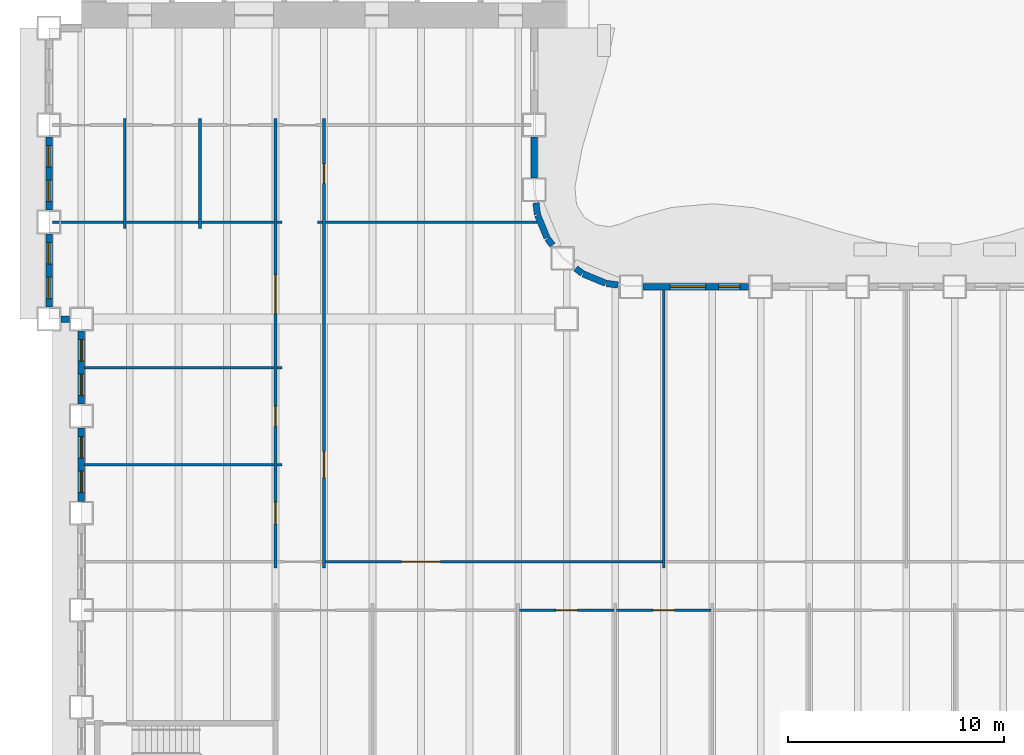
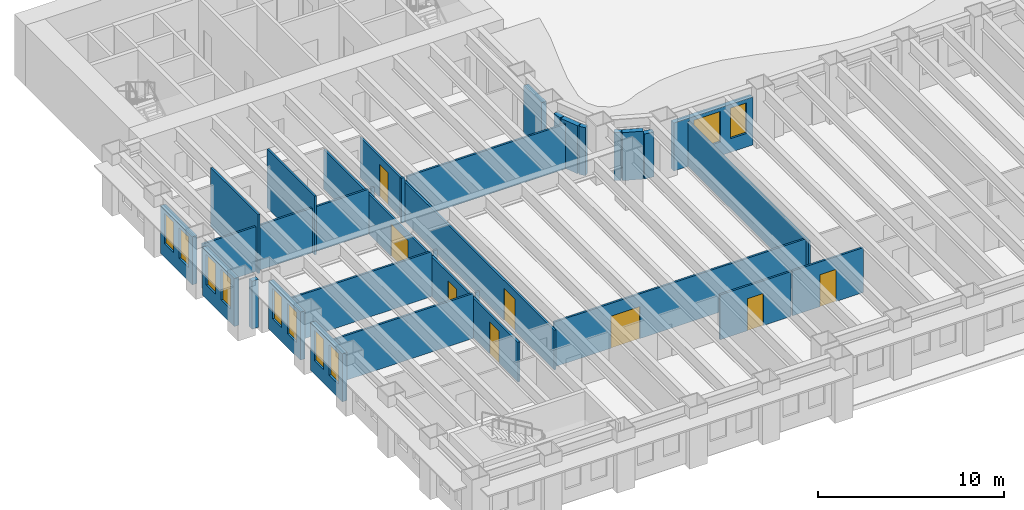
# One storey, part 4 of 18: 31 walls, 10 windows, 8 doors, 18 openings.
"""IFC4 building model written with IfcOpenShell, lengths in metres."""

import ifcopenshell
import ifcopenshell.guid

model = None  # the IFC model being written
_history = None  # IfcOwnerHistory: only IFC2X3 demands one
_inside = {}  # id of a spatial element -> (the spatial element, [elements in it])
_under = {}  # id of a project, library or spatial element -> (it, [spatial elements below it])
_declared = {}  # id of a project -> (the project, [libraries it declares])
_typed = {}  # id of a type object -> (the type object, [elements of that type])
_made_of = {}  # id of a material, layer set ... -> (it, [elements and type objects made of it])


def new_model(schema):
    """Start an empty IFC model of exactly this schema.

    Asked for "IFC4X3", IfcOpenShell would pick the latest addendum, in which some entities
    have other attributes; the version numbers below select the first issue.
    IFC2X3 requires an IfcOwnerHistory on every rooted entity: one is made here for all.
    """
    global model, _history
    if schema == "IFC4X3":
        model = ifcopenshell.file(schema_version=(4, 3, 0, 0))
    else:
        model = ifcopenshell.file(schema=schema)
    _inside.clear()
    _under.clear()
    _declared.clear()
    _typed.clear()
    _made_of.clear()
    _history = None
    if model.schema == "IFC2X3":
        org = make("IfcOrganization", Name="unknown")
        user = make(
            "IfcPersonAndOrganization",
            ThePerson=make("IfcPerson", FamilyName="unknown"),
            TheOrganization=org,
        )
        app = make(
            "IfcApplication",
            ApplicationDeveloper=org,
            Version="unknown",
            ApplicationFullName="unknown",
            ApplicationIdentifier="unknown",
        )
        _history = make(
            "IfcOwnerHistory",
            OwningUser=user,
            OwningApplication=app,
            ChangeAction="ADDED",
            CreationDate=0,
        )
    return model


def make(cls, **values):
    """One entity of the class cls with the attributes given. An attribute that is None is left unset."""
    return model.create_entity(
        cls, **{name: value for name, value in values.items() if value is not None}
    )


def rooted(cls, **values):
    """An entity with a GlobalId (a new one), such as an element, a storey or a relation."""
    return make(cls, GlobalId=ifcopenshell.guid.new(), OwnerHistory=_history, **values)


def si_unit(unit_type, name, prefix=None):
    """IfcSIUnit, for example si_unit("LENGTHUNIT", "METRE", prefix="MILLI")."""
    return make("IfcSIUnit", UnitType=unit_type, Prefix=prefix, Name=name)


def assignment(units):
    """IfcUnitAssignment: the units of a project."""
    return None if units is None else make("IfcUnitAssignment", Units=units)


def point(xyz):
    """IfcCartesianPoint."""
    return None if xyz is None else make("IfcCartesianPoint", Coordinates=xyz)


def direction(xyz):
    """IfcDirection."""
    return None if xyz is None else make("IfcDirection", DirectionRatios=xyz)


def frame(location, z_axis=None, x_axis=None):
    """IfcAxis2Placement3D, a coordinate frame: its origin and axes. An axis left out is left unset."""
    return make(
        "IfcAxis2Placement3D",
        Location=point(location),
        Axis=direction(z_axis),
        RefDirection=direction(x_axis),
    )


def frame_2d(location, x_axis=None):
    """IfcAxis2Placement2D, a coordinate frame in the plane: its origin and x axis."""
    return make(
        "IfcAxis2Placement2D", Location=point(location), RefDirection=direction(x_axis)
    )


def origin():
    """The frame at (0, 0, 0) with its axes left unset."""
    return frame((0.0, 0.0, 0.0))


def place(relative_to, where):
    """IfcLocalPlacement: puts the frame where relative to a parent placement (None: the world)."""
    return make(
        "IfcLocalPlacement", PlacementRelTo=relative_to, RelativePlacement=where
    )


def context(
    kind, dimensions, precision=None, world=None, true_north=None, identifier=None
):
    """IfcGeometricRepresentationContext, for example the 3D "Model" context."""
    return make(
        "IfcGeometricRepresentationContext",
        ContextIdentifier=identifier,
        ContextType=kind,
        CoordinateSpaceDimension=dimensions,
        Precision=precision,
        WorldCoordinateSystem=world,
        TrueNorth=true_north,
    )


def subcontext(parent, identifier, kind, view, scale=None):
    """IfcGeometricRepresentationSubContext, for example "Body" below "Model"."""
    return make(
        "IfcGeometricRepresentationSubContext",
        ContextIdentifier=identifier,
        ContextType=kind,
        ParentContext=parent,
        TargetScale=scale,
        TargetView=view,
    )


def project(units=None, contexts=None):
    """IfcProject with its units and contexts."""
    return rooted(
        "IfcProject",
        Name="project",
        RepresentationContexts=contexts,
        UnitsInContext=assignment(units),
    )


def spatial(cls, under=None, at=None, **own):
    """A site, building, storey or space (cls), placed at a placement, below another one or the project."""
    s = rooted(cls, ObjectPlacement=at, **own)
    if under is not None:
        _under.setdefault(under.id(), (under, []))[1].append(s)
    return s


def profile(cls, at=None, kind="AREA", **sizes):
    """A parametric profile (cls). Its sizes go by their IFC names, for example OverallWidth=200.0."""
    return make(cls, ProfileType=kind, Position=at, **sizes)


def rectangle(**sizes):
    """IfcRectangleProfileDef."""
    return profile("IfcRectangleProfileDef", **sizes)


def extrude(swept, where, along, depth):
    """IfcExtrudedAreaSolid: the profile swept, set in the frame where, extruded along a direction by depth."""
    return make(
        "IfcExtrudedAreaSolid",
        SweptArea=swept,
        Position=where,
        ExtrudedDirection=direction(along),
        Depth=depth,
    )


def shape(context_of_items, identifier, shape_type, items):
    """IfcShapeRepresentation: the items that make up one representation, for example the "Body"."""
    return make(
        "IfcShapeRepresentation",
        ContextOfItems=context_of_items,
        RepresentationIdentifier=identifier,
        RepresentationType=shape_type,
        Items=items,
    )


def material(Name=None, Category=None):
    """IfcMaterial."""
    return make("IfcMaterial", Name=Name, Category=Category)


def layer(
    of_material, thickness, ventilated=None, Name=None, Category=None, Priority=None
):
    """IfcMaterialLayer: one layer of a wall or slab, of a material (None: an air gap)."""
    return make(
        "IfcMaterialLayer",
        Material=of_material,
        LayerThickness=thickness,
        IsVentilated=ventilated,
        Name=Name,
        Category=Category,
        Priority=Priority,
    )


def layer_set(layers, Name=None):
    """IfcMaterialLayerSet."""
    return make("IfcMaterialLayerSet", MaterialLayers=layers, LayerSetName=Name)


def made_of(thing, what):
    """Note that an element or type object is made of a material, layer set ...; save() writes the relation."""
    if what is not None:
        _made_of.setdefault(what.id(), (what, []))[1].append(thing)
    return thing


def type_object(cls, material=None, **own):
    """A type object (cls), such as IfcWallType, which elements share."""
    return made_of(rooted(cls, **own), material)


def element(
    cls,
    number,
    at=None,
    inside=None,
    cuts=None,
    type_object=None,
    material=None,
    context=None,
    identifier="Body",
    shape_type=None,
    held_by="IfcProductDefinitionShape",
    body=None,
    shapes=None,
    **own,
):
    """One element of the class cls, such as IfcWall. Its Tag is "e" and its number.

    at: its placement. inside: the storey or other place that contains it. cuts: it is an
    opening in that element (IfcRelVoidsElement). A single representation is given by context,
    identifier, shape_type and body (its items); several are given by shapes. held_by: the class
    of the entity that holds the representations. save() writes the other relations.
    """
    e = rooted(cls, Tag="e%d" % number, ObjectPlacement=at, **own)
    if body is not None:
        shapes = [shape(context, identifier, shape_type, body)]
    if shapes is not None:
        e.Representation = make(held_by, Representations=shapes)
    if inside is not None:
        _inside.setdefault(inside.id(), (inside, []))[1].append(e)
    if cuts is not None:
        rooted(
            "IfcRelVoidsElement", RelatingBuildingElement=cuts, RelatedOpeningElement=e
        )
    if type_object is not None:
        _typed.setdefault(type_object.id(), (type_object, []))[1].append(e)
    return made_of(e, material)


def fill(opening, filler):
    """IfcRelFillsElement: the door or window that sits in an opening."""
    return rooted(
        "IfcRelFillsElement",
        RelatingOpeningElement=opening,
        RelatedBuildingElement=filler,
    )


def aggregate(whole, parts):
    """IfcRelAggregates: a whole, such as a stair, and the parts it consists of."""
    return rooted("IfcRelAggregates", RelatingObject=whole, RelatedObjects=parts)


def save(model, path):
    """Write the relations noted so far, then the file.

    IfcRelAggregates (storeys below a building ...), IfcRelContainedInSpatialStructure (elements
    in a storey), IfcRelDefinesByType, IfcRelAssociatesMaterial and IfcRelDeclares: one each for
    every whole, place, type object, material and project.
    """
    for whole, parts in _under.values():
        aggregate(whole, parts)
    for where, things in _inside.values():
        rooted(
            "IfcRelContainedInSpatialStructure",
            RelatedElements=things,
            RelatingStructure=where,
        )
    for kind, things in _typed.values():
        rooted("IfcRelDefinesByType", RelatedObjects=things, RelatingType=kind)
    for what, things in _made_of.values():
        rooted("IfcRelAssociatesMaterial", RelatedObjects=things, RelatingMaterial=what)
    for by, libraries in _declared.values():
        rooted("IfcRelDeclares", RelatingContext=by, RelatedDefinitions=libraries)
    model.write(path)


model = new_model("IFC4")

# Units and contexts
model_context = context("Model", 3, precision=1e-05, world=origin(), true_north=direction((0.0, 1.0)))
body_context = subcontext(model_context, "Body", "Model", "MODEL_VIEW")
ifc_project = project(units=[si_unit("LENGTHUNIT", "METRE"), si_unit("AREAUNIT", "SQUARE_METRE"), si_unit("VOLUMEUNIT", "CUBIC_METRE"), si_unit("PLANEANGLEUNIT", "RADIAN"), si_unit("MASSUNIT", "GRAM", prefix="KILO")], contexts=[model_context])

# Site, building, storey
site_placement = place(None, origin())
site = spatial("IfcSite", under=ifc_project, at=site_placement, CompositionType="ELEMENT")
building_placement = place(site_placement, origin())
building = spatial("IfcBuilding", under=site, at=building_placement, Name="Sennacour Bend Tower", CompositionType="ELEMENT")
storey_placement = place(building_placement, frame((0.0, 0.0, 29.0)))
storey = spatial("IfcBuildingStorey", under=building, at=storey_placement, Name="L05", CompositionType="ELEMENT", Elevation=29.0)

# Walls
ifc_material_1 = material(Name="Plasterboard partition on steel studs", Category="steel")
ifc_layer_1 = layer(ifc_material_1, 0.1201171875, Name="Plasterboard partition on steel studs", Category="steel")
ifc_layer_set_1 = layer_set([ifc_layer_1], Name="Plasterboard partition on steel studs")
wall_type_1 = type_object("IfcWallType", Name="Partition 120", PredefinedType="PARTITIONING", material=ifc_layer_set_1)
for number, where, z_axis, x_axis, name in (
    (1, (2.0, 26.699951171875, 0.0), (0.0, 0.0, 1.0), (0.0, 1.0, 0.0), "P-L05-W004a"),
    (2, (5.5, 26.699951171875, 0.0), (0.0, 0.0, 1.0), (0.0, 1.0, 0.0), "P-L05-W008a"),
):
    element("IfcWall", number, at=place(storey_placement, frame(where, z_axis=z_axis, x_axis=x_axis)), inside=storey, type_object=wall_type_1, Name=name, PredefinedType="PARTITIONING", context=body_context, shape_type="SweptSolid", body=[
        extrude(rectangle(XDim=5.10009765625, YDim=0.1201171875, at=frame_2d((2.550048828125, 0.0))), origin(), (0.0, 0.0, 1.0), 3.85009765625),
    ])
wall_1_placement = place(storey_placement, frame((27.0, 10.949951171875, 0.0), z_axis=(0.0, 0.0, 1.0), x_axis=(0.0, 1.0, 0.0)))
element("IfcWall", 3, at=wall_1_placement, inside=storey, type_object=wall_type_1, Name="P-L05-W028a", PredefinedType="PARTITIONING", context=body_context, shape_type="SweptSolid", body=[
    extrude(rectangle(XDim=12.900146484375, YDim=0.1201171875, at=frame_2d((6.4501953125, 0.0))), origin(), (0.0, 0.0, 1.0), 2.93798828125),
])

# Wall, opening, door
wall_2_placement = place(storey_placement, frame((20.31005859375, 9.0, 0.0), z_axis=(0.0, 0.0, 1.0), x_axis=(1.0, 0.0, 0.0)))
wall_2 = element("IfcWall", 4, at=wall_2_placement, inside=storey, type_object=wall_type_1, Name="P-L05-W061ad", PredefinedType="PARTITIONING", context=body_context, shape_type="SweptSolid", body=[
    extrude(rectangle(XDim=4.3798828125, YDim=0.1201171875, at=frame_2d((2.18994140625, 0.0))), origin(), (0.0, 0.0, 1.0), 2.93798828125),
])
opening_1_placement = place(wall_2_placement, frame((1.68994140625, 0.0, 0.0)))
opening_1 = element("IfcOpeningElement", 5, at=opening_1_placement, cuts=wall_2, Name="Opening MD2", PredefinedType="OPENING", context=body_context, shape_type="SweptSolid", body=[
    extrude(rectangle(XDim=1.0, YDim=2.10009765625, at=frame_2d((0.5, 1.050048828125))), frame((0.0, 0.070068359375, 0.0), z_axis=(0.0, -1.0, 0.0), x_axis=(1.0, 0.0, 0.0)), (0.0, 0.0, 1.0), 0.14013671875),
])
ifc_material_2 = material(Name="Timber", Category="wood")
door_type_1 = type_object("IfcDoorType", Name="DR-MEETING-1000", OperationType="NOTDEFINED", PredefinedType="DOOR", material=ifc_material_2)
door_1_placement = place(opening_1_placement, origin())
door_1 = element("IfcDoor", 6, at=door_1_placement, inside=storey, type_object=door_type_1, Name="Door", OperationType="SINGLE_SWING_LEFT", OverallHeight=2.10009765625, OverallWidth=1.0, PredefinedType="DOOR", context=body_context, shape_type="SweptSolid", body=[
    extrude(rectangle(XDim=1.0, YDim=2.10009765625, at=frame_2d((0.5, 1.050048828125))), frame((0.0, 0.02490234375, 0.0), z_axis=(0.0, -1.0, 0.0), x_axis=(1.0, 0.0, 0.0)), (0.0, 0.0, 1.0), 0.050048828125),
])
fill(opening_1, door_1)

wall_3_placement = place(storey_placement, frame((24.81005859375, 9.0, 0.0), z_axis=(0.0, 0.0, 1.0), x_axis=(1.0, 0.0, 0.0)))
wall_3 = element("IfcWall", 7, at=wall_3_placement, inside=storey, type_object=wall_type_1, Name="P-L05-W061ae", PredefinedType="PARTITIONING", context=body_context, shape_type="SweptSolid", body=[
    extrude(rectangle(XDim=4.3798828125, YDim=0.1201171875, at=frame_2d((2.18994140625, 0.0))), origin(), (0.0, 0.0, 1.0), 2.93798828125),
])
opening_2_placement = place(wall_3_placement, frame((1.68994140625, 0.0, 0.0)))
opening_2 = element("IfcOpeningElement", 8, at=opening_2_placement, cuts=wall_3, Name="Opening OD2", PredefinedType="OPENING", context=body_context, shape_type="SweptSolid", body=[
    extrude(rectangle(XDim=1.0, YDim=2.10009765625, at=frame_2d((0.5, 1.050048828125))), frame((0.0, 0.070068359375, 0.0), z_axis=(0.0, -1.0, 0.0), x_axis=(1.0, 0.0, 0.0)), (0.0, 0.0, 1.0), 0.14013671875),
])
door_type_2 = type_object("IfcDoorType", Name="DR-OFFICE-1000", OperationType="NOTDEFINED", PredefinedType="DOOR", material=ifc_material_2)
door_2_placement = place(opening_2_placement, origin())
door_2 = element("IfcDoor", 9, at=door_2_placement, inside=storey, type_object=door_type_2, Name="Door", OperationType="SINGLE_SWING_LEFT", OverallHeight=2.10009765625, OverallWidth=1.0, PredefinedType="DOOR", context=body_context, shape_type="SweptSolid", body=[
    extrude(rectangle(XDim=1.0, YDim=2.10009765625, at=frame_2d((0.5, 1.050048828125))), frame((0.0, 0.02490234375, 0.0), z_axis=(0.0, -1.0, 0.0), x_axis=(1.0, 0.0, 0.0)), (0.0, 0.0, 1.0), 0.050048828125),
])
fill(opening_2, door_2)

wall_4_placement = place(storey_placement, frame((11.31005859375, 11.25, 0.0), z_axis=(0.0, 0.0, 1.0), x_axis=(1.0, 0.0, 0.0)))
wall_4 = element("IfcWall", 10, at=wall_4_placement, inside=storey, type_object=wall_type_1, Name="P-L05-W063ac", PredefinedType="PARTITIONING", context=body_context, shape_type="SweptSolid", body=[
    extrude(rectangle(XDim=15.6298828125, YDim=0.1201171875, at=frame_2d((7.81494140625, 0.0))), origin(), (0.0, 0.0, 1.0), 2.93798828125),
])
opening_3_placement = place(wall_4_placement, frame((3.539794921875, 0.0, 0.0)))
opening_3 = element("IfcOpeningElement", 11, at=opening_3_placement, cuts=wall_4, Name="Opening OD3", PredefinedType="OPENING", context=body_context, shape_type="SweptSolid", body=[
    extrude(rectangle(XDim=1.800048828125, YDim=2.10009765625, at=frame_2d((0.89990234375, 1.050048828125))), frame((0.0, 0.070068359375, 0.0), z_axis=(0.0, -1.0, 0.0), x_axis=(1.0, 0.0, 0.0)), (0.0, 0.0, 1.0), 0.14013671875),
])
door_type_3 = type_object("IfcDoorType", Name="DR-OFFICE-1800", OperationType="NOTDEFINED", PredefinedType="DOOR", material=ifc_material_2)
door_3_placement = place(opening_3_placement, origin())
door_3 = element("IfcDoor", 12, at=door_3_placement, inside=storey, type_object=door_type_3, Name="Door", OperationType="DOUBLE_DOOR_SINGLE_SWING", OverallHeight=2.10009765625, OverallWidth=1.800048828125, PredefinedType="DOOR", context=body_context, shape_type="SweptSolid", body=[
    extrude(rectangle(XDim=1.800048828125, YDim=2.10009765625, at=frame_2d((0.89990234375, 1.050048828125))), frame((0.0, 0.02490234375, 0.0), z_axis=(0.0, -1.0, 0.0), x_axis=(1.0, 0.0, 0.0)), (0.0, 0.0, 1.0), 0.050048828125),
])
fill(opening_3, door_3)

# Walls
wall_5_placement = place(storey_placement, frame((0.14990234375, 15.75, 0.0), z_axis=(0.0, 0.0, 1.0), x_axis=(1.0, 0.0, 0.0)))
element("IfcWall", 13, at=wall_5_placement, inside=storey, type_object=wall_type_1, Name="P-L05-W068aa", PredefinedType="PARTITIONING", context=body_context, shape_type="SweptSolid", body=[
    extrude(rectangle(XDim=8.7900390625, YDim=0.1201171875, at=frame_2d((4.39501953125, 0.0))), origin(), (0.0, 0.0, 1.0), 2.93798828125),
])
wall_6_placement = place(storey_placement, frame((9.06005859375, 15.75, 0.0), z_axis=(0.0, 0.0, 1.0), x_axis=(1.0, 0.0, 0.0)))
element("IfcWall", 14, at=wall_6_placement, inside=storey, type_object=wall_type_1, Name="P-L05-W068ab", PredefinedType="PARTITIONING", context=body_context, shape_type="SweptSolid", body=[
    extrude(rectangle(XDim=0.239990234375, YDim=0.1201171875, at=frame_2d((0.1201171875, 0.0))), origin(), (0.0, 0.0, 1.0), 2.93798828125),
])
wall_7_placement = place(storey_placement, frame((0.14990234375, 20.25, 0.0), z_axis=(0.0, 0.0, 1.0), x_axis=(1.0, 0.0, 0.0)))
element("IfcWall", 15, at=wall_7_placement, inside=storey, type_object=wall_type_1, Name="P-L05-W073aa", PredefinedType="PARTITIONING", context=body_context, shape_type="SweptSolid", body=[
    extrude(rectangle(XDim=8.7900390625, YDim=0.1201171875, at=frame_2d((4.39501953125, 0.0))), origin(), (0.0, 0.0, 1.0), 2.93798828125),
])
wall_8_placement = place(storey_placement, frame((9.06005859375, 20.25, 0.0), z_axis=(0.0, 0.0, 1.0), x_axis=(1.0, 0.0, 0.0)))
element("IfcWall", 16, at=wall_8_placement, inside=storey, type_object=wall_type_1, Name="P-L05-W073ab", PredefinedType="PARTITIONING", context=body_context, shape_type="SweptSolid", body=[
    extrude(rectangle(XDim=0.239990234375, YDim=0.1201171875, at=frame_2d((0.1201171875, 0.0))), origin(), (0.0, 0.0, 1.0), 2.93798828125),
])
wall_9_placement = place(storey_placement, frame((-1.35009765625, 27.0, 0.0), z_axis=(0.0, 0.0, 1.0), x_axis=(1.0, 0.0, 0.0)))
element("IfcWall", 17, at=wall_9_placement, inside=storey, type_object=wall_type_1, Name="P-L05-W075aa", PredefinedType="PARTITIONING", context=body_context, shape_type="SweptSolid", body=[
    extrude(rectangle(XDim=3.2900390625, YDim=0.1201171875, at=frame_2d((1.64501953125, 0.0))), origin(), (0.0, 0.0, 1.0), 2.93798828125),
])
for number, where, z_axis, x_axis, name in (
    (18, (2.06005859375, 27.0, 0.0), (0.0, 0.0, 1.0), (1.0, 0.0, 0.0), "P-L05-W075ab"),
    (19, (5.56005859375, 27.0, 0.0), (0.0, 0.0, 1.0), (1.0, 0.0, 0.0), "P-L05-W075ac"),
):
    element("IfcWall", number, at=place(storey_placement, frame(where, z_axis=z_axis, x_axis=x_axis)), inside=storey, type_object=wall_type_1, Name=name, PredefinedType="PARTITIONING", context=body_context, shape_type="SweptSolid", body=[
        extrude(rectangle(XDim=3.3798828125, YDim=0.1201171875, at=frame_2d((1.68994140625, 0.0))), origin(), (0.0, 0.0, 1.0), 2.93798828125),
    ])
for number, where, z_axis, x_axis, name in (
    (20, (9.06005859375, 27.0, 0.0), (0.0, 0.0, 1.0), (1.0, 0.0, 0.0), "P-L05-W075ad"),
    (21, (10.949951171875, 27.0, 0.0), (0.0, 0.0, 1.0), (1.0, 0.0, 0.0), "P-L05-W076aa"),
):
    element("IfcWall", number, at=place(storey_placement, frame(where, z_axis=z_axis, x_axis=x_axis)), inside=storey, type_object=wall_type_1, Name=name, PredefinedType="PARTITIONING", context=body_context, shape_type="SweptSolid", body=[
        extrude(rectangle(XDim=0.239990234375, YDim=0.1201171875, at=frame_2d((0.1201171875, 0.0))), origin(), (0.0, 0.0, 1.0), 2.93798828125),
    ])
wall_10_placement = place(storey_placement, frame((11.31005859375, 27.0, 0.0), z_axis=(0.0, 0.0, 1.0), x_axis=(1.0, 0.0, 0.0)))
element("IfcWall", 22, at=wall_10_placement, inside=storey, type_object=wall_type_1, Name="P-L05-W076ab", PredefinedType="PARTITIONING", context=body_context, shape_type="SweptSolid", body=[
    extrude(rectangle(XDim=9.81982421875, YDim=0.1201171875, at=frame_2d((4.909912109375, 0.0))), origin(), (0.0, 0.0, 1.0), 2.93798828125),
])

# Wall, openings, doors
ifc_layer_2 = layer(ifc_material_1, 0.1201171875, Name="Plasterboard partition on steel studs", Category="steel")
ifc_layer_set_2 = layer_set([ifc_layer_2], Name="Plasterboard partition on steel studs")
wall_type_2 = type_object("IfcWallType", Name="Partition 120 EI 60", PredefinedType="PARTITIONING", material=ifc_layer_set_2)
wall_11_placement = place(storey_placement, frame((9.0, 10.949951171875, 0.0), z_axis=(0.0, 0.0, 1.0), x_axis=(0.0, 1.0, 0.0)))
wall_11 = element("IfcWall", 23, at=wall_11_placement, inside=storey, type_object=wall_type_2, Name="P-L05-W013a", PredefinedType="PARTITIONING", context=body_context, shape_type="SweptSolid", body=[
    extrude(rectangle(XDim=20.85009765625, YDim=0.1201171875, at=frame_2d((10.425048828125, 0.0))), origin(), (0.0, 0.0, 1.0), 2.60009765625),
])
opening_4_placement = place(wall_11_placement, frame((2.050048828125, 0.0, 0.0)))
opening_4 = element("IfcOpeningElement", 24, at=opening_4_placement, cuts=wall_11, Name="Opening OD2", PredefinedType="OPENING", context=body_context, shape_type="SweptSolid", body=[
    extrude(rectangle(XDim=1.0, YDim=2.10009765625, at=frame_2d((0.5, 1.050048828125))), frame((0.0, 0.070068359375, 0.0), z_axis=(0.0, -1.0, 0.0), x_axis=(1.0, 0.0, 0.0)), (0.0, 0.0, 1.0), 0.14013671875),
])
opening_5_placement = place(wall_11_placement, frame((6.60009765625, 0.0, 0.0)))
opening_5 = element("IfcOpeningElement", 25, at=opening_5_placement, cuts=wall_11, Name="Opening SV", PredefinedType="OPENING", context=body_context, shape_type="SweptSolid", body=[
    extrude(rectangle(XDim=0.89990234375, YDim=2.10009765625, at=frame_2d((0.449951171875, 1.050048828125))), frame((0.0, 0.070068359375, 0.0), z_axis=(0.0, -1.0, 0.0), x_axis=(1.0, 0.0, 0.0)), (0.0, 0.0, 1.0), 0.14013671875),
])
opening_6_placement = place(wall_11_placement, frame((11.804931640625, 0.0, 0.0)))
opening_6 = element("IfcOpeningElement", 26, at=opening_6_placement, cuts=wall_11, Name="Opening OD3", PredefinedType="OPENING", context=body_context, shape_type="SweptSolid", body=[
    extrude(rectangle(XDim=1.800048828125, YDim=2.10009765625, at=frame_2d((0.89990234375, 1.050048828125))), frame((0.0, 0.070068359375, 0.0), z_axis=(0.0, -1.0, 0.0), x_axis=(1.0, 0.0, 0.0)), (0.0, 0.0, 1.0), 0.14013671875),
])
door_4_placement = place(opening_4_placement, origin())
door_4 = element("IfcDoor", 27, at=door_4_placement, inside=storey, type_object=door_type_2, Name="Door", OperationType="SINGLE_SWING_LEFT", OverallHeight=2.10009765625, OverallWidth=1.0, PredefinedType="DOOR", context=body_context, shape_type="SweptSolid", body=[
    extrude(rectangle(XDim=1.0, YDim=2.10009765625, at=frame_2d((0.5, 1.050048828125))), frame((0.0, 0.02490234375, 0.0), z_axis=(0.0, -1.0, 0.0), x_axis=(1.0, 0.0, 0.0)), (0.0, 0.0, 1.0), 0.050048828125),
])
fill(opening_4, door_4)
door_5_placement = place(opening_6_placement, origin())
door_5 = element("IfcDoor", 28, at=door_5_placement, inside=storey, type_object=door_type_3, Name="Door", OperationType="DOUBLE_DOOR_SINGLE_SWING", OverallHeight=2.10009765625, OverallWidth=1.800048828125, PredefinedType="DOOR", context=body_context, shape_type="SweptSolid", body=[
    extrude(rectangle(XDim=1.800048828125, YDim=2.10009765625, at=frame_2d((0.89990234375, 1.050048828125))), frame((0.0, 0.02490234375, 0.0), z_axis=(0.0, -1.0, 0.0), x_axis=(1.0, 0.0, 0.0)), (0.0, 0.0, 1.0), 0.050048828125),
])
fill(opening_6, door_5)
ifc_material_3 = material(Name="Painted steel", Category="steel")
door_type_4 = type_object("IfcDoorType", Name="DR-SERVICE-900", OperationType="NOTDEFINED", PredefinedType="DOOR", material=ifc_material_3)
door_6_placement = place(opening_5_placement, origin())
door_6 = element("IfcDoor", 29, at=door_6_placement, inside=storey, type_object=door_type_4, Name="Door", OperationType="SINGLE_SWING_LEFT", OverallHeight=2.10009765625, OverallWidth=0.89990234375, PredefinedType="DOOR", context=body_context, shape_type="SweptSolid", body=[
    extrude(rectangle(XDim=0.89990234375, YDim=2.10009765625, at=frame_2d((0.449951171875, 1.050048828125))), frame((0.0, 0.02490234375, 0.0), z_axis=(0.0, -1.0, 0.0), x_axis=(1.0, 0.0, 0.0)), (0.0, 0.0, 1.0), 0.050048828125),
])
fill(opening_5, door_6)

wall_12_placement = place(storey_placement, frame((11.25, 10.949951171875, 0.0), z_axis=(0.0, 0.0, 1.0), x_axis=(0.0, 1.0, 0.0)))
wall_12 = element("IfcWall", 30, at=wall_12_placement, inside=storey, type_object=wall_type_2, Name="P-L05-W015a", PredefinedType="PARTITIONING", context=body_context, shape_type="SweptSolid", body=[
    extrude(rectangle(XDim=20.85009765625, YDim=0.1201171875, at=frame_2d((10.425048828125, 0.0))), origin(), (0.0, 0.0, 1.0), 2.60009765625),
])
opening_7_placement = place(wall_12_placement, frame((17.85009765625, 0.0, 0.0)))
opening_7 = element("IfcOpeningElement", 31, at=opening_7_placement, cuts=wall_12, Name="Opening SV", PredefinedType="OPENING", context=body_context, shape_type="SweptSolid", body=[
    extrude(rectangle(XDim=0.89990234375, YDim=2.10009765625, at=frame_2d((0.449951171875, 1.050048828125))), frame((0.0, 0.070068359375, 0.0), z_axis=(0.0, -1.0, 0.0), x_axis=(1.0, 0.0, 0.0)), (0.0, 0.0, 1.0), 0.14013671875),
])
opening_8_placement = place(wall_12_placement, frame((4.199951171875, 0.0, 0.0)))
opening_8 = element("IfcOpeningElement", 32, at=opening_8_placement, cuts=wall_12, Name="Opening OD", PredefinedType="OPENING", context=body_context, shape_type="SweptSolid", body=[
    extrude(rectangle(XDim=1.199951171875, YDim=2.10009765625, at=frame_2d((0.60009765625, 1.050048828125))), frame((0.0, 0.070068359375, 0.0), z_axis=(0.0, -1.0, 0.0), x_axis=(1.0, 0.0, 0.0)), (0.0, 0.0, 1.0), 0.14013671875),
])
door_type_5 = type_object("IfcDoorType", Name="DR-OFFICE-1200", OperationType="NOTDEFINED", PredefinedType="DOOR", material=ifc_material_2)
door_7_placement = place(opening_8_placement, origin())
door_7 = element("IfcDoor", 33, at=door_7_placement, inside=storey, type_object=door_type_5, Name="Door", OperationType="SINGLE_SWING_LEFT", OverallHeight=2.10009765625, OverallWidth=1.199951171875, PredefinedType="DOOR", context=body_context, shape_type="SweptSolid", body=[
    extrude(rectangle(XDim=1.199951171875, YDim=2.10009765625, at=frame_2d((0.60009765625, 1.050048828125))), frame((0.0, 0.02490234375, 0.0), z_axis=(0.0, -1.0, 0.0), x_axis=(1.0, 0.0, 0.0)), (0.0, 0.0, 1.0), 0.050048828125),
])
fill(opening_8, door_7)
door_8_placement = place(opening_7_placement, origin())
door_8 = element("IfcDoor", 34, at=door_8_placement, inside=storey, type_object=door_type_4, Name="Door", OperationType="SINGLE_SWING_RIGHT", OverallHeight=2.10009765625, OverallWidth=0.89990234375, PredefinedType="DOOR", context=body_context, shape_type="SweptSolid", body=[
    extrude(rectangle(XDim=0.89990234375, YDim=2.10009765625, at=frame_2d((0.449951171875, 1.050048828125))), frame((0.0, 0.02490234375, 0.0), z_axis=(0.0, -1.0, 0.0), x_axis=(1.0, 0.0, 0.0)), (0.0, 0.0, 1.0), 0.050048828125),
])
fill(opening_7, door_8)

# Wall, openings, windows
ifc_material_4 = material(Name="Warm limestone cladding", Category="masonry")
ifc_layer_3 = layer(ifc_material_4, 0.050048828125, Name="Warm limestone cladding", Category="masonry")
ifc_material_5 = material(Name="Precast concrete C40/50", Category="concrete")
ifc_layer_4 = layer(ifc_material_5, 0.25, Name="Precast concrete C40/50", Category="concrete")
ifc_layer_set_3 = layer_set([ifc_layer_3, ifc_layer_4], Name="Precast concrete C40/50 with limestone cladding")
wall_type_3 = type_object("IfcWallType", Name="STONE-CLAD PRECAST SPANDREL 300", PredefinedType="STANDARD", material=ifc_layer_set_3)
wall_13_placement = place(storey_placement, frame((30.949951171875, 24.0, 0.0), z_axis=(0.0, 0.0, 1.0), x_axis=(-1.0, 0.0, 0.0)))
wall_13 = element("IfcWall", 35, at=wall_13_placement, inside=storey, type_object=wall_type_3, Name="Stone spandrel and pier wall L05 08.05", PredefinedType="STANDARD", context=body_context, shape_type="SweptSolid", body=[
    extrude(rectangle(XDim=4.89990234375, YDim=0.300048828125, at=frame_2d((2.449951171875, 0.0))), origin(), (0.0, 0.0, 1.0), 3.14404296875),
])
opening_9_placement = place(wall_13_placement, frame((0.39990234375, 0.0, 0.89990234375)))
opening_9 = element("IfcOpeningElement", 36, at=opening_9_placement, cuts=wall_13, Name="Opening W8", PredefinedType="OPENING", context=body_context, shape_type="SweptSolid", body=[
    extrude(rectangle(XDim=1.0, YDim=2.0, at=frame_2d((0.5, 1.0))), frame((0.0, 0.16015625, 0.0), z_axis=(0.0, -1.0, 0.0), x_axis=(1.0, 0.0, 0.0)), (0.0, 0.0, 1.0), 0.320068359375),
])
opening_10_placement = place(wall_13_placement, frame((2.0, 0.0, 0.89990234375)))
opening_10 = element("IfcOpeningElement", 37, at=opening_10_placement, cuts=wall_13, Name="Opening W10", PredefinedType="OPENING", context=body_context, shape_type="SweptSolid", body=[
    extrude(rectangle(XDim=1.64990234375, YDim=2.0, at=frame_2d((0.824951171875, 1.0))), frame((0.0, 0.16015625, 0.0), z_axis=(0.0, -1.0, 0.0), x_axis=(1.0, 0.0, 0.0)), (0.0, 0.0, 1.0), 0.320068359375),
])
ifc_material_6 = material(Name="Clear low-emissivity glass", Category="glass")
window_type_1 = type_object("IfcWindowType", Name="WIN-RIBBON-1000x2000", PartitioningType="SINGLE_PANEL", PredefinedType="WINDOW", material=ifc_material_6)
window_1_placement = place(opening_9_placement, origin())
window_1 = element("IfcWindow", 38, at=window_1_placement, inside=storey, type_object=window_type_1, Name="Ribbon window L05 08.05.0", OverallHeight=2.0, OverallWidth=1.0, PartitioningType="SINGLE_PANEL", PredefinedType="WINDOW", context=body_context, shape_type="SweptSolid", body=[
    extrude(rectangle(XDim=1.0, YDim=2.0, at=frame_2d((0.5, 1.0))), frame((0.0, 0.030029296875, 0.0), z_axis=(0.0, -1.0, 0.0), x_axis=(1.0, 0.0, 0.0)), (0.0, 0.0, 1.0), 0.06005859375),
])
fill(opening_9, window_1)
window_type_2 = type_object("IfcWindowType", Name="WIN-RIBBON-1650x2000", PartitioningType="SINGLE_PANEL", PredefinedType="WINDOW", material=ifc_material_6)
window_2_placement = place(opening_10_placement, origin())
window_2 = element("IfcWindow", 39, at=window_2_placement, inside=storey, type_object=window_type_2, Name="Ribbon window L05 08.05.1", OverallHeight=2.0, OverallWidth=1.64990234375, PartitioningType="SINGLE_PANEL", PredefinedType="WINDOW", context=body_context, shape_type="SweptSolid", body=[
    extrude(rectangle(XDim=1.64990234375, YDim=2.0, at=frame_2d((0.824951171875, 1.0))), frame((0.0, 0.030029296875, 0.0), z_axis=(0.0, -1.0, 0.0), x_axis=(1.0, 0.0, 0.0)), (0.0, 0.0, 1.0), 0.06005859375),
])
fill(opening_10, window_2)

# Walls
wall_14_placement = place(storey_placement, frame((24.88818359375, 24.08056640625, 0.0), z_axis=(0.0, 0.0, 1.0), x_axis=(-0.991417173479, 0.130736330569, 0.0)))
element("IfcWall", 40, at=wall_14_placement, inside=storey, type_object=wall_type_3, Name="Stone spandrel and pier wall L05 09.00", PredefinedType="STANDARD", context=body_context, shape_type="SweptSolid", body=[
    extrude(rectangle(XDim=0.537841796875, YDim=0.300048828125, at=frame_2d((0.26904296875, 0.0))), origin(), (0.0, 0.0, 1.0), 2.93798828125),
])
wall_15_placement = place(storey_placement, frame((24.317138671875, 24.160888671875, 0.0), z_axis=(0.0, 0.0, 1.0), x_axis=(-0.923914616768, 0.382598720491, 0.0)))
element("IfcWall", 41, at=wall_15_placement, inside=storey, type_object=wall_type_3, Name="Stone spandrel and pier wall L05 10.00", PredefinedType="STANDARD", context=body_context, shape_type="SweptSolid", body=[
    extrude(rectangle(XDim=1.13525390625, YDim=0.300048828125, at=frame_2d((0.567626953125, 0.0))), origin(), (0.0, 0.0, 1.0), 3.14404296875),
])
for number, where, z_axis, x_axis, name in (
    (42, (23.234375, 24.614990234375, 0.0), (0.0, 0.0, 1.0), (-0.79354495224, 0.60851163405, 0.0), "Stone spandrel and pier wall L05 11.00"),
    (43, (21.8486328125, 25.9296875, 0.0), (0.0, 0.0, 1.0), (-0.60851163405, 0.79354495224, 0.0), "Stone spandrel and pier wall L05 12.00"),
):
    element("IfcWall", number, at=place(storey_placement, frame(where, z_axis=z_axis, x_axis=x_axis)), inside=storey, type_object=wall_type_3, Name=name, PredefinedType="STANDARD", context=body_context, shape_type="SweptSolid", body=[
        extrude(rectangle(XDim=0.384033203125, YDim=0.300048828125, at=frame_2d((0.19189453125, 0.0))), origin(), (0.0, 0.0, 1.0), 3.14404296875),
    ])
wall_16_placement = place(storey_placement, frame((21.59521484375, 26.268310546875, 0.0), z_axis=(0.0, 0.0, 1.0), x_axis=(-0.382598720491, 0.923914616768, 0.0)))
element("IfcWall", 44, at=wall_16_placement, inside=storey, type_object=wall_type_3, Name="Stone spandrel and pier wall L05 13.00", PredefinedType="STANDARD", context=body_context, shape_type="SweptSolid", body=[
    extrude(rectangle(XDim=1.13525390625, YDim=0.300048828125, at=frame_2d((0.567626953125, 0.0))), origin(), (0.0, 0.0, 1.0), 3.14404296875),
])
wall_17_placement = place(storey_placement, frame((21.15087890625, 27.35498046875, 0.0), z_axis=(0.0, 0.0, 1.0), x_axis=(-0.130736330569, 0.991417173479, 0.0)))
element("IfcWall", 45, at=wall_17_placement, inside=storey, type_object=wall_type_3, Name="Stone spandrel and pier wall L05 14.00", PredefinedType="STANDARD", context=body_context, shape_type="SweptSolid", body=[
    extrude(rectangle(XDim=0.537841796875, YDim=0.300048828125, at=frame_2d((0.26904296875, 0.0))), origin(), (0.0, 0.0, 1.0), 3.14404296875),
])
wall_18_placement = place(storey_placement, frame((21.0, 29.050048828125, 0.0), z_axis=(0.0, 0.0, 1.0), x_axis=(0.0, 1.0, 0.0)))
element("IfcWall", 46, at=wall_18_placement, inside=storey, type_object=wall_type_3, Name="Stone spandrel and pier wall L05 15.00", PredefinedType="STANDARD", context=body_context, shape_type="SweptSolid", body=[
    extrude(rectangle(XDim=1.89990234375, YDim=0.300048828125, at=frame_2d((0.949951171875, 0.0))), origin(), (0.0, 0.0, 1.0), 3.14404296875),
])

# Wall, openings, windows
wall_19_placement = place(storey_placement, frame((-1.5, 30.949951171875, 0.0), z_axis=(0.0, 0.0, 1.0), x_axis=(0.0, -1.0, 0.0)))
wall_19 = element("IfcWall", 47, at=wall_19_placement, inside=storey, type_object=wall_type_3, Name="Stone spandrel and pier wall L05 21.01", PredefinedType="STANDARD", context=body_context, shape_type="SweptSolid", body=[
    extrude(rectangle(XDim=3.39990234375, YDim=0.300048828125, at=frame_2d((1.699951171875, 0.0))), origin(), (0.0, 0.0, 1.0), 3.14404296875),
])
opening_11_placement = place(wall_19_placement, frame((0.39990234375, 0.0, 0.89990234375)))
opening_11 = element("IfcOpeningElement", 48, at=opening_11_placement, cuts=wall_19, Name="Opening W8", PredefinedType="OPENING", context=body_context, shape_type="SweptSolid", body=[
    extrude(rectangle(XDim=1.0, YDim=2.0, at=frame_2d((0.5, 1.0))), frame((0.0, 0.16015625, 0.0), z_axis=(0.0, -1.0, 0.0), x_axis=(1.0, 0.0, 0.0)), (0.0, 0.0, 1.0), 0.320068359375),
])
opening_12_placement = place(wall_19_placement, frame((2.0, 0.0, 0.89990234375)))
opening_12 = element("IfcOpeningElement", 49, at=opening_12_placement, cuts=wall_19, Name="Opening W8", PredefinedType="OPENING", context=body_context, shape_type="SweptSolid", body=[
    extrude(rectangle(XDim=1.0, YDim=2.0, at=frame_2d((0.5, 1.0))), frame((0.0, 0.16015625, 0.0), z_axis=(0.0, -1.0, 0.0), x_axis=(1.0, 0.0, 0.0)), (0.0, 0.0, 1.0), 0.320068359375),
])
window_3_placement = place(opening_11_placement, origin())
window_3 = element("IfcWindow", 50, at=window_3_placement, inside=storey, type_object=window_type_1, Name="Ribbon window L05 21.01.0", OverallHeight=2.0, OverallWidth=1.0, PartitioningType="SINGLE_PANEL", PredefinedType="WINDOW", context=body_context, shape_type="SweptSolid", body=[
    extrude(rectangle(XDim=1.0, YDim=2.0, at=frame_2d((0.5, 1.0))), frame((0.0, 0.030029296875, 0.0), z_axis=(0.0, -1.0, 0.0), x_axis=(1.0, 0.0, 0.0)), (0.0, 0.0, 1.0), 0.06005859375),
])
fill(opening_11, window_3)
window_4_placement = place(opening_12_placement, origin())
window_4 = element("IfcWindow", 51, at=window_4_placement, inside=storey, type_object=window_type_1, Name="Ribbon window L05 21.01.1", OverallHeight=2.0, OverallWidth=1.0, PartitioningType="SINGLE_PANEL", PredefinedType="WINDOW", context=body_context, shape_type="SweptSolid", body=[
    extrude(rectangle(XDim=1.0, YDim=2.0, at=frame_2d((0.5, 1.0))), frame((0.0, 0.030029296875, 0.0), z_axis=(0.0, -1.0, 0.0), x_axis=(1.0, 0.0, 0.0)), (0.0, 0.0, 1.0), 0.06005859375),
])
fill(opening_12, window_4)

wall_20_placement = place(storey_placement, frame((-1.5, 26.449951171875, 0.0), z_axis=(0.0, 0.0, 1.0), x_axis=(0.0, -1.0, 0.0)))
wall_20 = element("IfcWall", 52, at=wall_20_placement, inside=storey, type_object=wall_type_3, Name="Stone spandrel and pier wall L05 21.02", PredefinedType="STANDARD", context=body_context, shape_type="SweptSolid", body=[
    extrude(rectangle(XDim=3.39990234375, YDim=0.300048828125, at=frame_2d((1.699951171875, 0.0))), origin(), (0.0, 0.0, 1.0), 3.14404296875),
])
opening_13_placement = place(wall_20_placement, frame((0.39990234375, 0.0, 0.89990234375)))
opening_13 = element("IfcOpeningElement", 53, at=opening_13_placement, cuts=wall_20, Name="Opening W8", PredefinedType="OPENING", context=body_context, shape_type="SweptSolid", body=[
    extrude(rectangle(XDim=1.0, YDim=2.0, at=frame_2d((0.5, 1.0))), frame((0.0, 0.16015625, 0.0), z_axis=(0.0, -1.0, 0.0), x_axis=(1.0, 0.0, 0.0)), (0.0, 0.0, 1.0), 0.320068359375),
])
opening_14_placement = place(wall_20_placement, frame((2.0, 0.0, 0.89990234375)))
opening_14 = element("IfcOpeningElement", 54, at=opening_14_placement, cuts=wall_20, Name="Opening W8", PredefinedType="OPENING", context=body_context, shape_type="SweptSolid", body=[
    extrude(rectangle(XDim=1.0, YDim=2.0, at=frame_2d((0.5, 1.0))), frame((0.0, 0.16015625, 0.0), z_axis=(0.0, -1.0, 0.0), x_axis=(1.0, 0.0, 0.0)), (0.0, 0.0, 1.0), 0.320068359375),
])
window_5_placement = place(opening_13_placement, origin())
window_5 = element("IfcWindow", 55, at=window_5_placement, inside=storey, type_object=window_type_1, Name="Ribbon window L05 21.02.0", OverallHeight=2.0, OverallWidth=1.0, PartitioningType="SINGLE_PANEL", PredefinedType="WINDOW", context=body_context, shape_type="SweptSolid", body=[
    extrude(rectangle(XDim=1.0, YDim=2.0, at=frame_2d((0.5, 1.0))), frame((0.0, 0.030029296875, 0.0), z_axis=(0.0, -1.0, 0.0), x_axis=(1.0, 0.0, 0.0)), (0.0, 0.0, 1.0), 0.06005859375),
])
fill(opening_13, window_5)
window_6_placement = place(opening_14_placement, origin())
window_6 = element("IfcWindow", 56, at=window_6_placement, inside=storey, type_object=window_type_1, Name="Ribbon window L05 21.02.1", OverallHeight=2.0, OverallWidth=1.0, PartitioningType="SINGLE_PANEL", PredefinedType="WINDOW", context=body_context, shape_type="SweptSolid", body=[
    extrude(rectangle(XDim=1.0, YDim=2.0, at=frame_2d((0.5, 1.0))), frame((0.0, 0.030029296875, 0.0), z_axis=(0.0, -1.0, 0.0), x_axis=(1.0, 0.0, 0.0)), (0.0, 0.0, 1.0), 0.06005859375),
])
fill(opening_14, window_6)

# Wall
wall_21_placement = place(storey_placement, frame((-0.949951171875, 22.5, 0.0), z_axis=(0.0, 0.0, 1.0), x_axis=(1.0, 0.0, 0.0)))
element("IfcWall", 57, at=wall_21_placement, inside=storey, type_object=wall_type_3, Name="Stone spandrel and pier wall L05 22.00", PredefinedType="STANDARD", context=body_context, shape_type="SweptSolid", body=[
    extrude(rectangle(XDim=0.39990234375, YDim=0.300048828125, at=frame_2d((0.199951171875, 0.0))), origin(), (0.0, 0.0, 1.0), 3.14404296875),
])

# Wall, openings, windows
wall_22_placement = place(storey_placement, frame((0.0, 21.949951171875, 0.0), z_axis=(0.0, 0.0, 1.0), x_axis=(0.0, -1.0, 0.0)))
wall_22 = element("IfcWall", 58, at=wall_22_placement, inside=storey, type_object=wall_type_3, Name="Stone spandrel and pier wall L05 23.00", PredefinedType="STANDARD", context=body_context, shape_type="SweptSolid", body=[
    extrude(rectangle(XDim=3.39990234375, YDim=0.300048828125, at=frame_2d((1.699951171875, 0.0))), origin(), (0.0, 0.0, 1.0), 3.14404296875),
])
opening_15_placement = place(wall_22_placement, frame((0.39990234375, 0.0, 0.89990234375)))
opening_15 = element("IfcOpeningElement", 59, at=opening_15_placement, cuts=wall_22, Name="Opening W8", PredefinedType="OPENING", context=body_context, shape_type="SweptSolid", body=[
    extrude(rectangle(XDim=1.0, YDim=2.0, at=frame_2d((0.5, 1.0))), frame((0.0, 0.16015625, 0.0), z_axis=(0.0, -1.0, 0.0), x_axis=(1.0, 0.0, 0.0)), (0.0, 0.0, 1.0), 0.320068359375),
])
opening_16_placement = place(wall_22_placement, frame((2.0, 0.0, 0.89990234375)))
opening_16 = element("IfcOpeningElement", 60, at=opening_16_placement, cuts=wall_22, Name="Opening W8", PredefinedType="OPENING", context=body_context, shape_type="SweptSolid", body=[
    extrude(rectangle(XDim=1.0, YDim=2.0, at=frame_2d((0.5, 1.0))), frame((0.0, 0.16015625, 0.0), z_axis=(0.0, -1.0, 0.0), x_axis=(1.0, 0.0, 0.0)), (0.0, 0.0, 1.0), 0.320068359375),
])
window_7_placement = place(opening_15_placement, origin())
window_7 = element("IfcWindow", 61, at=window_7_placement, inside=storey, type_object=window_type_1, Name="Ribbon window L05 23.00.0", OverallHeight=2.0, OverallWidth=1.0, PartitioningType="SINGLE_PANEL", PredefinedType="WINDOW", context=body_context, shape_type="SweptSolid", body=[
    extrude(rectangle(XDim=1.0, YDim=2.0, at=frame_2d((0.5, 1.0))), frame((0.0, 0.030029296875, 0.0), z_axis=(0.0, -1.0, 0.0), x_axis=(1.0, 0.0, 0.0)), (0.0, 0.0, 1.0), 0.06005859375),
])
fill(opening_15, window_7)
window_8_placement = place(opening_16_placement, origin())
window_8 = element("IfcWindow", 62, at=window_8_placement, inside=storey, type_object=window_type_1, Name="Ribbon window L05 23.00.1", OverallHeight=2.0, OverallWidth=1.0, PartitioningType="SINGLE_PANEL", PredefinedType="WINDOW", context=body_context, shape_type="SweptSolid", body=[
    extrude(rectangle(XDim=1.0, YDim=2.0, at=frame_2d((0.5, 1.0))), frame((0.0, 0.030029296875, 0.0), z_axis=(0.0, -1.0, 0.0), x_axis=(1.0, 0.0, 0.0)), (0.0, 0.0, 1.0), 0.06005859375),
])
fill(opening_16, window_8)

wall_23_placement = place(storey_placement, frame((0.0, 17.449951171875, 0.0), z_axis=(0.0, 0.0, 1.0), x_axis=(0.0, -1.0, 0.0)))
wall_23 = element("IfcWall", 63, at=wall_23_placement, inside=storey, type_object=wall_type_3, Name="Stone spandrel and pier wall L05 23.01", PredefinedType="STANDARD", context=body_context, shape_type="SweptSolid", body=[
    extrude(rectangle(XDim=3.39990234375, YDim=0.300048828125, at=frame_2d((1.699951171875, 0.0))), origin(), (0.0, 0.0, 1.0), 3.14404296875),
])
opening_17_placement = place(wall_23_placement, frame((0.39990234375, 0.0, 0.89990234375)))
opening_17 = element("IfcOpeningElement", 64, at=opening_17_placement, cuts=wall_23, Name="Opening W8", PredefinedType="OPENING", context=body_context, shape_type="SweptSolid", body=[
    extrude(rectangle(XDim=1.0, YDim=2.0, at=frame_2d((0.5, 1.0))), frame((0.0, 0.16015625, 0.0), z_axis=(0.0, -1.0, 0.0), x_axis=(1.0, 0.0, 0.0)), (0.0, 0.0, 1.0), 0.320068359375),
])
opening_18_placement = place(wall_23_placement, frame((2.0, 0.0, 0.89990234375)))
opening_18 = element("IfcOpeningElement", 65, at=opening_18_placement, cuts=wall_23, Name="Opening W8", PredefinedType="OPENING", context=body_context, shape_type="SweptSolid", body=[
    extrude(rectangle(XDim=1.0, YDim=2.0, at=frame_2d((0.5, 1.0))), frame((0.0, 0.16015625, 0.0), z_axis=(0.0, -1.0, 0.0), x_axis=(1.0, 0.0, 0.0)), (0.0, 0.0, 1.0), 0.320068359375),
])
window_9_placement = place(opening_17_placement, origin())
window_9 = element("IfcWindow", 66, at=window_9_placement, inside=storey, type_object=window_type_1, Name="Ribbon window L05 23.01.0", OverallHeight=2.0, OverallWidth=1.0, PartitioningType="SINGLE_PANEL", PredefinedType="WINDOW", context=body_context, shape_type="SweptSolid", body=[
    extrude(rectangle(XDim=1.0, YDim=2.0, at=frame_2d((0.5, 1.0))), frame((0.0, 0.030029296875, 0.0), z_axis=(0.0, -1.0, 0.0), x_axis=(1.0, 0.0, 0.0)), (0.0, 0.0, 1.0), 0.06005859375),
])
fill(opening_17, window_9)
window_10_placement = place(opening_18_placement, origin())
window_10 = element("IfcWindow", 67, at=window_10_placement, inside=storey, type_object=window_type_1, Name="Ribbon window L05 23.01.1", OverallHeight=2.0, OverallWidth=1.0, PartitioningType="SINGLE_PANEL", PredefinedType="WINDOW", context=body_context, shape_type="SweptSolid", body=[
    extrude(rectangle(XDim=1.0, YDim=2.0, at=frame_2d((0.5, 1.0))), frame((0.0, 0.030029296875, 0.0), z_axis=(0.0, -1.0, 0.0), x_axis=(1.0, 0.0, 0.0)), (0.0, 0.0, 1.0), 0.06005859375),
])
fill(opening_18, window_10)

save(model, "model.ifc")
